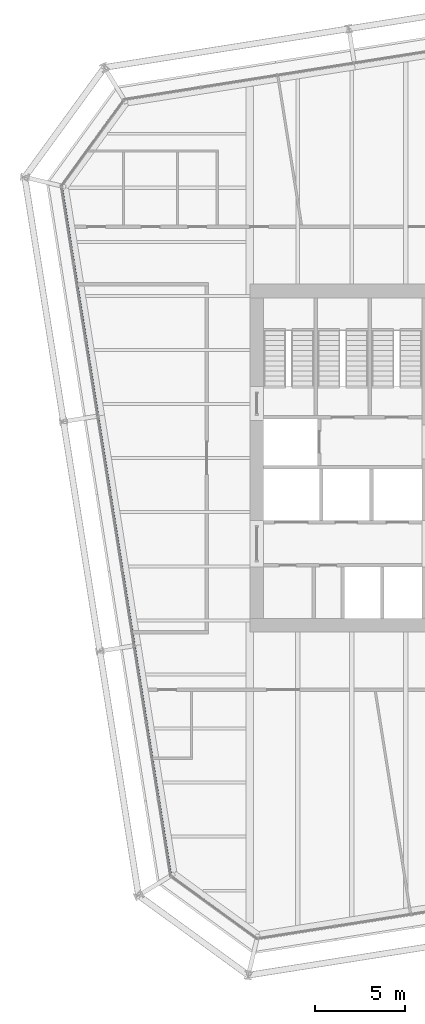
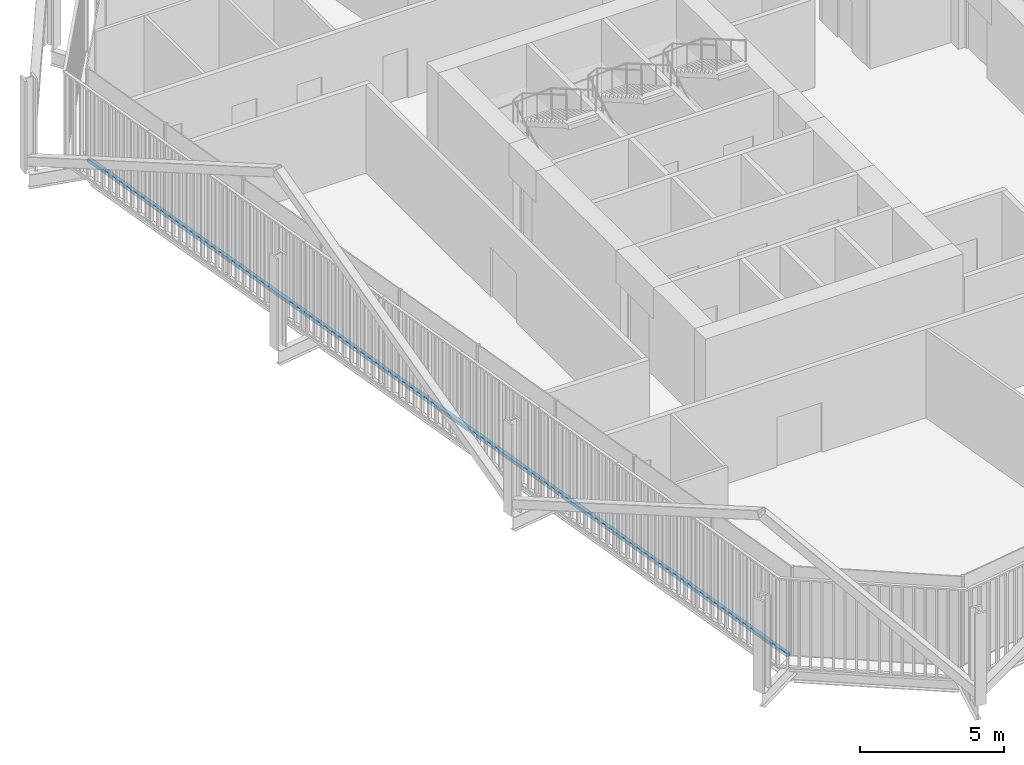
# One storey, part 5 of 22: 1 member, 1 element without a shape of its own.
"""IFC4 building model written with IfcOpenShell, lengths in metres."""

from ifc_helpers import new_model, si_unit, direction, frame, origin, origin_2d, place, context, subcontext, project, spatial, rectangle, extrude, material, layer, layer_set, material_profile, profile_set, type_object, element, aggregate, save


model = new_model("IFC4")

# Units and contexts
model_context = context("Model", 3, precision=1e-05, world=origin(), true_north=direction((0.0, 1.0)))
body_context = subcontext(model_context, "Body", "Model", "MODEL_VIEW")
ifc_project = project(units=[si_unit("LENGTHUNIT", "METRE"), si_unit("AREAUNIT", "SQUARE_METRE"), si_unit("VOLUMEUNIT", "CUBIC_METRE"), si_unit("PLANEANGLEUNIT", "RADIAN"), si_unit("MASSUNIT", "GRAM", prefix="KILO")], contexts=[model_context])

# Site, building, storey
site_placement = place(None, origin())
site = spatial("IfcSite", under=ifc_project, at=site_placement, CompositionType="ELEMENT")
building_placement = place(site_placement, origin())
building = spatial("IfcBuilding", under=site, at=building_placement, Name="Millrace Tower", CompositionType="ELEMENT")
storey_placement = place(building_placement, frame((0.0, 0.0, 137.300048828125)))
storey = spatial("IfcBuildingStorey", under=building, at=storey_placement, Name="L30", CompositionType="ELEMENT", Elevation=137.300048828125)

# Curtain wall, member
ifc_material_1 = material(Name="Aluminium and glass", Category="aluminium")
ifc_layer = layer(ifc_material_1, 0.14990234375)
ifc_layer_set = layer_set([ifc_layer], Name="Aluminium and glass")
curtain_wall_type = type_object("IfcCurtainWallType", Name="CW-1 office vision curtain wall", PredefinedType="NOTDEFINED", material=ifc_layer_set)
curtain_wall_placement = place(storey_placement, origin())
curtain_wall = element("IfcCurtainWall", 1, at=curtain_wall_placement, inside=storey, type_object=curtain_wall_type, Name="Curtain wall C-F08 L30", PredefinedType="NOTDEFINED")
ifc_material_2 = material(Name="Aluminium", Category="aluminium")
ifc_material_profile = material_profile(ifc_material_2, rectangle(XDim=0.14990234375, YDim=0.139892578125, at=origin_2d()))
ifc_profile_set = profile_set([ifc_material_profile], Name="Aluminium")
member_type = type_object("IfcMemberType", Name="CW-1 office vision curtain wall transom", PredefinedType="USERDEFINED", material=ifc_profile_set)
member_placement = place(storey_placement, frame((-25.09619140625, 14.97509765625, 0.070068359375), z_axis=(0.156433422663, -0.987688505691, 0.0), x_axis=(0.987688505691, 0.156433422663, 0.0)))
member = element("IfcMember", 2, at=member_placement, type_object=member_type, Name="CW1 transom C-F08.1", ObjectType="TRANSOM", PredefinedType="USERDEFINED", context=body_context, shape_type="SweptSolid", body=[
    extrude(rectangle(XDim=0.14990234375, YDim=0.139892578125, at=origin_2d()), origin(), (0.0, 0.0, 1.0), 38.5),
])
aggregate(curtain_wall, [member])

save(model, "model.ifc")
